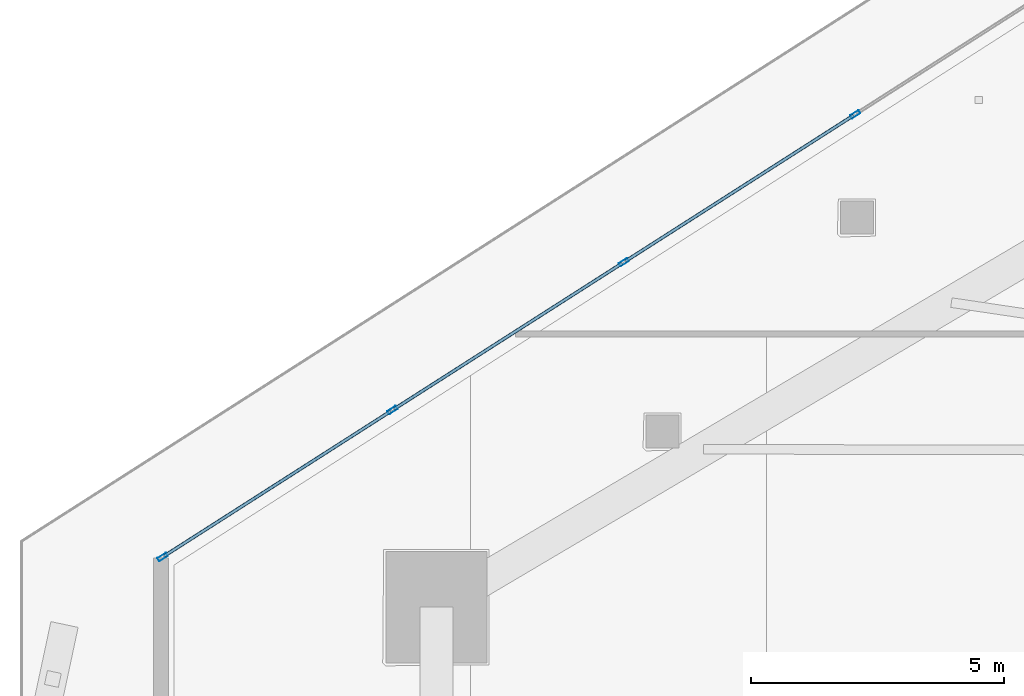
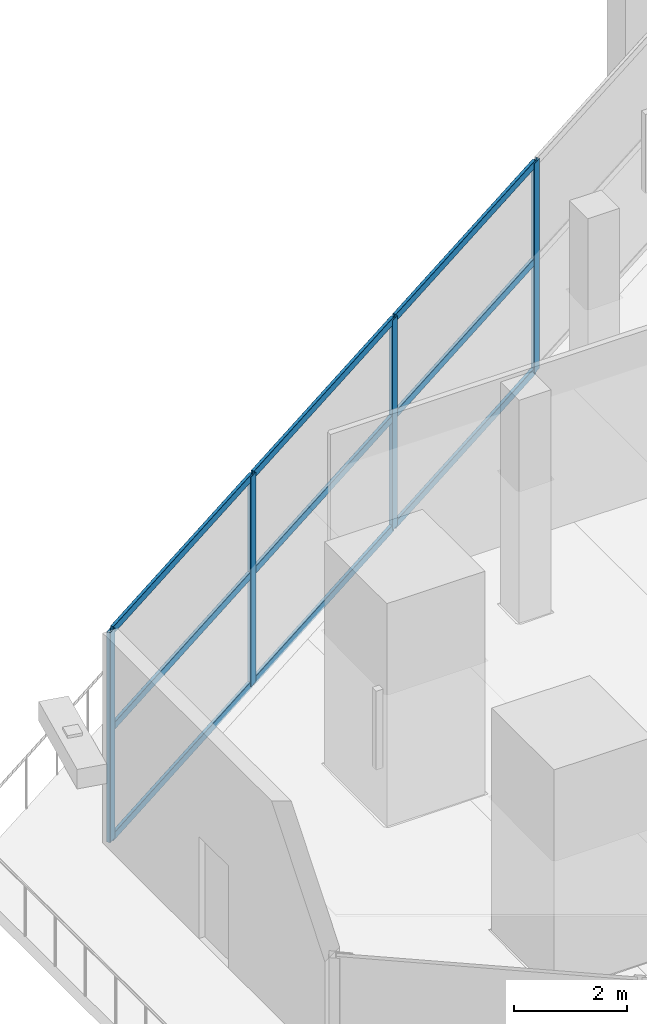
# One storey, part 12 of 42: 13 members, 1 element without a shape of its own.
"""IFC4 building model written with IfcOpenShell, lengths in metres."""

from ifc_helpers import new_model, si_unit, direction, frame, origin, origin_2d, place, context, subcontext, project, spatial, hollow_rectangle, extrude, material, layer, layer_set, material_profile, profile_set, type_object, element, aggregate, save


model = new_model("IFC4")

# Units and contexts
model_context = context("Model", 3, precision=1e-05, world=origin(), true_north=direction((0.0, 1.0)))
body_context = subcontext(model_context, "Body", "Model", "MODEL_VIEW")
ifc_project = project(units=[si_unit("LENGTHUNIT", "METRE"), si_unit("AREAUNIT", "SQUARE_METRE"), si_unit("VOLUMEUNIT", "CUBIC_METRE"), si_unit("PLANEANGLEUNIT", "RADIAN"), si_unit("MASSUNIT", "GRAM", prefix="KILO")], contexts=[model_context])

# Site, building, storey
site_placement = place(None, origin())
site = spatial("IfcSite", under=ifc_project, at=site_placement, CompositionType="ELEMENT")
building_placement = place(site_placement, origin())
building = spatial("IfcBuilding", under=site, at=building_placement, Name="Qorvath Tower", CompositionType="ELEMENT")
storey_placement = place(building_placement, frame((0.0, 0.0, 105.0)))
storey = spatial("IfcBuildingStorey", under=building, at=storey_placement, Name="L23", CompositionType="ELEMENT", Elevation=105.0)

# Curtain wall, members
ifc_material_1 = material(Name="Anodised aluminium and triple low-E glass", Category="aluminium")
ifc_layer = layer(ifc_material_1, 0.179931640625)
ifc_layer_set = layer_set([ifc_layer], Name="CW-SYS-5")
curtain_wall_type = type_object("IfcCurtainWallType", Name="CW-SYS-5", PredefinedType="NOTDEFINED", material=ifc_layer_set)
curtain_wall_placement = place(storey_placement, origin())
curtain_wall = element("IfcCurtainWall", 1, at=curtain_wall_placement, inside=storey, type_object=curtain_wall_type, Name="Curtain Wall CW-5 CW-T-L23-16.3", PredefinedType="NOTDEFINED")
ifc_material_2 = material(Name="Anodised aluminium 6063-T6", Category="aluminium")
ifc_material_profile_1 = material_profile(ifc_material_2, hollow_rectangle(XDim=0.074951171875, YDim=0.199951171875, WallThickness=0.00390625, InnerFilletRadius=0.00390625, OuterFilletRadius=0.008056640625, at=origin_2d()), Name="CWM 200x75")
ifc_profile_set_1 = profile_set([ifc_material_profile_1], Name="Anodised aluminium 6063-T6")
member_type_1 = type_object("IfcMemberType", Name="CWM-200", PredefinedType="MULLION", material=ifc_profile_set_1)
member_1_placement = place(storey_placement, frame((-44.76953125, 12.691650390625, 0.0), z_axis=(0.0, 0.0, 1.0), x_axis=(0.538531788579, -0.842605193842, 0.0)))
member_1 = element("IfcMember", 2, at=member_1_placement, type_object=member_type_1, Name="CW-5 mullion 3", PredefinedType="MULLION", context=body_context, shape_type="SweptSolid", body=[
    extrude(hollow_rectangle(XDim=0.074951171875, YDim=0.199951171875, WallThickness=0.00390625, InnerFilletRadius=0.00390625, OuterFilletRadius=0.008056640625, at=origin_2d()), origin(), (0.0, 0.0, 1.0), 4.52001953125),
])
member_2_placement = place(storey_placement, frame((-49.34375, 9.76806640625, 0.0), z_axis=(0.0, 0.0, 1.0), x_axis=(0.538531788579, -0.842605193842, 0.0)))
member_2 = element("IfcMember", 3, at=member_2_placement, type_object=member_type_1, Name="CW-5 mullion 4", PredefinedType="MULLION", context=body_context, shape_type="SweptSolid", body=[
    extrude(hollow_rectangle(XDim=0.074951171875, YDim=0.199951171875, WallThickness=0.00390625, InnerFilletRadius=0.00390625, OuterFilletRadius=0.008056640625, at=origin_2d()), origin(), (0.0, 0.0, 1.0), 4.52001953125),
])
member_3_placement = place(storey_placement, frame((-53.917724609375, 6.8447265625, 0.0), z_axis=(0.0, 0.0, 1.0), x_axis=(0.538531788579, -0.842605193842, 0.0)))
member_3 = element("IfcMember", 4, at=member_3_placement, type_object=member_type_1, Name="CW-5 mullion 5", PredefinedType="MULLION", context=body_context, shape_type="SweptSolid", body=[
    extrude(hollow_rectangle(XDim=0.074951171875, YDim=0.199951171875, WallThickness=0.00390625, InnerFilletRadius=0.00390625, OuterFilletRadius=0.008056640625, at=origin_2d()), origin(), (0.0, 0.0, 1.0), 4.52001953125),
])
member_4_placement = place(storey_placement, frame((-58.460205078125, 3.941650390625, 0.0), z_axis=(0.0, 0.0, 1.0), x_axis=(0.538531788579, -0.842605193842, 0.0)))
member_4 = element("IfcMember", 5, at=member_4_placement, type_object=member_type_1, Name="CW-5 mullion 6", PredefinedType="MULLION", context=body_context, shape_type="SweptSolid", body=[
    extrude(hollow_rectangle(XDim=0.074951171875, YDim=0.199951171875, WallThickness=0.00390625, InnerFilletRadius=0.00390625, OuterFilletRadius=0.008056640625, at=origin_2d()), origin(), (0.0, 0.0, 1.0), 4.52001953125),
])
ifc_material_3 = material(Name="Anodised aluminium 6063-T6", Category="aluminium")
ifc_material_profile_2 = material_profile(ifc_material_3, hollow_rectangle(XDim=0.06494140625, YDim=0.159912109375, WallThickness=0.00341796875, InnerFilletRadius=0.00341796875, OuterFilletRadius=0.007080078125, at=origin_2d()), Name="CWT 160x65")
ifc_profile_set_2 = profile_set([ifc_material_profile_2], Name="Anodised aluminium 6063-T6")
member_type_2 = type_object("IfcMemberType", Name="CWT-160", PredefinedType="USERDEFINED", material=ifc_profile_set_2)
member_5_placement = place(storey_placement, frame((-44.80126953125, 12.67138671875, 0.032470703125), z_axis=(-0.842595089647, -0.538547597621, 0.0), x_axis=(0.538547597621, -0.842595089647, 0.0)))
member_5 = element("IfcMember", 6, at=member_5_placement, type_object=member_type_2, Name="CW-5 transom 3.1", ObjectType="TRANSOM", PredefinedType="USERDEFINED", context=body_context, shape_type="SweptSolid", body=[
    extrude(hollow_rectangle(XDim=0.06494140625, YDim=0.159912109375, WallThickness=0.00341796875, InnerFilletRadius=0.00341796875, OuterFilletRadius=0.007080078125, at=origin_2d()), origin(), (0.0, 0.0, 1.0), 5.353271484375),
])
member_6_placement = place(storey_placement, frame((-44.80126953125, 12.67138671875, 2.39990234375), z_axis=(-0.842595089647, -0.538547597621, 0.0), x_axis=(0.538547597621, -0.842595089647, 0.0)))
member_6 = element("IfcMember", 7, at=member_6_placement, type_object=member_type_2, Name="CW-5 transom 3.2", ObjectType="TRANSOM", PredefinedType="USERDEFINED", context=body_context, shape_type="SweptSolid", body=[
    extrude(hollow_rectangle(XDim=0.06494140625, YDim=0.159912109375, WallThickness=0.00341796875, InnerFilletRadius=0.00341796875, OuterFilletRadius=0.007080078125, at=origin_2d()), origin(), (0.0, 0.0, 1.0), 5.353271484375),
])
member_7_placement = place(storey_placement, frame((-44.80126953125, 12.67138671875, 4.487548828125), z_axis=(-0.842595089647, -0.538547597621, 0.0), x_axis=(0.538547597621, -0.842595089647, 0.0)))
member_7 = element("IfcMember", 8, at=member_7_placement, type_object=member_type_2, Name="CW-5 transom 3.3", ObjectType="TRANSOM", PredefinedType="USERDEFINED", context=body_context, shape_type="SweptSolid", body=[
    extrude(hollow_rectangle(XDim=0.06494140625, YDim=0.159912109375, WallThickness=0.00341796875, InnerFilletRadius=0.00341796875, OuterFilletRadius=0.007080078125, at=origin_2d()), origin(), (0.0, 0.0, 1.0), 5.353271484375),
])
member_8_placement = place(storey_placement, frame((-49.375244140625, 9.748046875, 0.032470703125), z_axis=(-0.842595089647, -0.538547597621, 0.0), x_axis=(0.538547597621, -0.842595089647, 0.0)))
member_8 = element("IfcMember", 9, at=member_8_placement, type_object=member_type_2, Name="CW-5 transom 4.1", ObjectType="TRANSOM", PredefinedType="USERDEFINED", context=body_context, shape_type="SweptSolid", body=[
    extrude(hollow_rectangle(XDim=0.06494140625, YDim=0.159912109375, WallThickness=0.00341796875, InnerFilletRadius=0.00341796875, OuterFilletRadius=0.007080078125, at=origin_2d()), origin(), (0.0, 0.0, 1.0), 5.353271484375),
])
member_9_placement = place(storey_placement, frame((-49.375244140625, 9.748046875, 2.39990234375), z_axis=(-0.842595089647, -0.538547597621, 0.0), x_axis=(0.538547597621, -0.842595089647, 0.0)))
member_9 = element("IfcMember", 10, at=member_9_placement, type_object=member_type_2, Name="CW-5 transom 4.2", ObjectType="TRANSOM", PredefinedType="USERDEFINED", context=body_context, shape_type="SweptSolid", body=[
    extrude(hollow_rectangle(XDim=0.06494140625, YDim=0.159912109375, WallThickness=0.00341796875, InnerFilletRadius=0.00341796875, OuterFilletRadius=0.007080078125, at=origin_2d()), origin(), (0.0, 0.0, 1.0), 5.353271484375),
])
member_10_placement = place(storey_placement, frame((-49.375244140625, 9.748046875, 4.487548828125), z_axis=(-0.842595089647, -0.538547597621, 0.0), x_axis=(0.538547597621, -0.842595089647, 0.0)))
member_10 = element("IfcMember", 11, at=member_10_placement, type_object=member_type_2, Name="CW-5 transom 4.3", ObjectType="TRANSOM", PredefinedType="USERDEFINED", context=body_context, shape_type="SweptSolid", body=[
    extrude(hollow_rectangle(XDim=0.06494140625, YDim=0.159912109375, WallThickness=0.00341796875, InnerFilletRadius=0.00341796875, OuterFilletRadius=0.007080078125, at=origin_2d()), origin(), (0.0, 0.0, 1.0), 5.353271484375),
])
member_11_placement = place(storey_placement, frame((-53.94921875, 6.82470703125, 0.032470703125), z_axis=(-0.842585694948, -0.538562295997, 0.0), x_axis=(0.538562295997, -0.842585694948, 0.0)))
member_11 = element("IfcMember", 12, at=member_11_placement, type_object=member_type_2, Name="CW-5 transom 5.1", ObjectType="TRANSOM", PredefinedType="USERDEFINED", context=body_context, shape_type="SweptSolid", body=[
    extrude(hollow_rectangle(XDim=0.06494140625, YDim=0.159912109375, WallThickness=0.00341796875, InnerFilletRadius=0.00341796875, OuterFilletRadius=0.007080078125, at=origin_2d()), origin(), (0.0, 0.0, 1.0), 5.316162109375),
])
member_12_placement = place(storey_placement, frame((-53.94921875, 6.82470703125, 2.39990234375), z_axis=(-0.842585694948, -0.538562295997, 0.0), x_axis=(0.538562295997, -0.842585694948, 0.0)))
member_12 = element("IfcMember", 13, at=member_12_placement, type_object=member_type_2, Name="CW-5 transom 5.2", ObjectType="TRANSOM", PredefinedType="USERDEFINED", context=body_context, shape_type="SweptSolid", body=[
    extrude(hollow_rectangle(XDim=0.06494140625, YDim=0.159912109375, WallThickness=0.00341796875, InnerFilletRadius=0.00341796875, OuterFilletRadius=0.007080078125, at=origin_2d()), origin(), (0.0, 0.0, 1.0), 5.316162109375),
])
member_13_placement = place(storey_placement, frame((-53.94921875, 6.82470703125, 4.487548828125), z_axis=(-0.842585694948, -0.538562295997, 0.0), x_axis=(0.538562295997, -0.842585694948, 0.0)))
member_13 = element("IfcMember", 14, at=member_13_placement, type_object=member_type_2, Name="CW-5 transom 5.3", ObjectType="TRANSOM", PredefinedType="USERDEFINED", context=body_context, shape_type="SweptSolid", body=[
    extrude(hollow_rectangle(XDim=0.06494140625, YDim=0.159912109375, WallThickness=0.00341796875, InnerFilletRadius=0.00341796875, OuterFilletRadius=0.007080078125, at=origin_2d()), origin(), (0.0, 0.0, 1.0), 5.316162109375),
])
aggregate(curtain_wall, [member_1, member_2, member_3, member_4, member_5, member_6, member_7, member_8, member_9, member_10, member_11, member_12, member_13])

save(model, "model.ifc")
